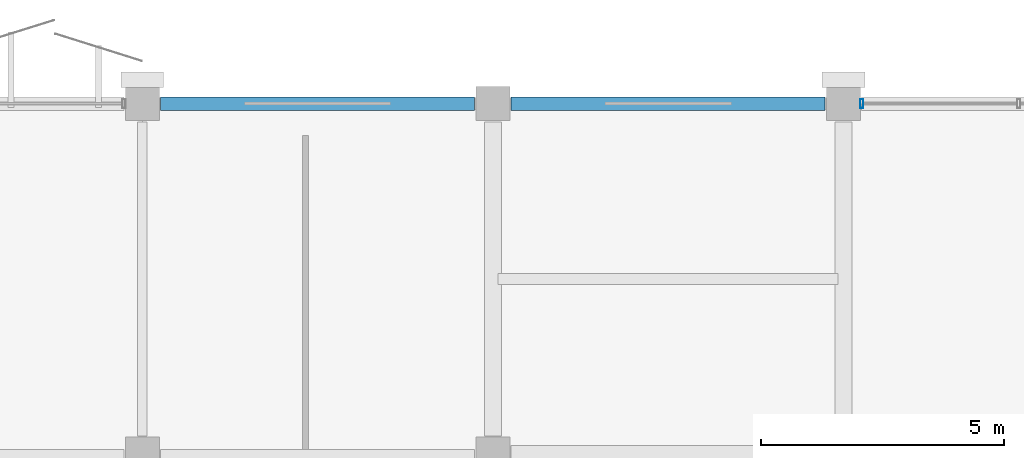
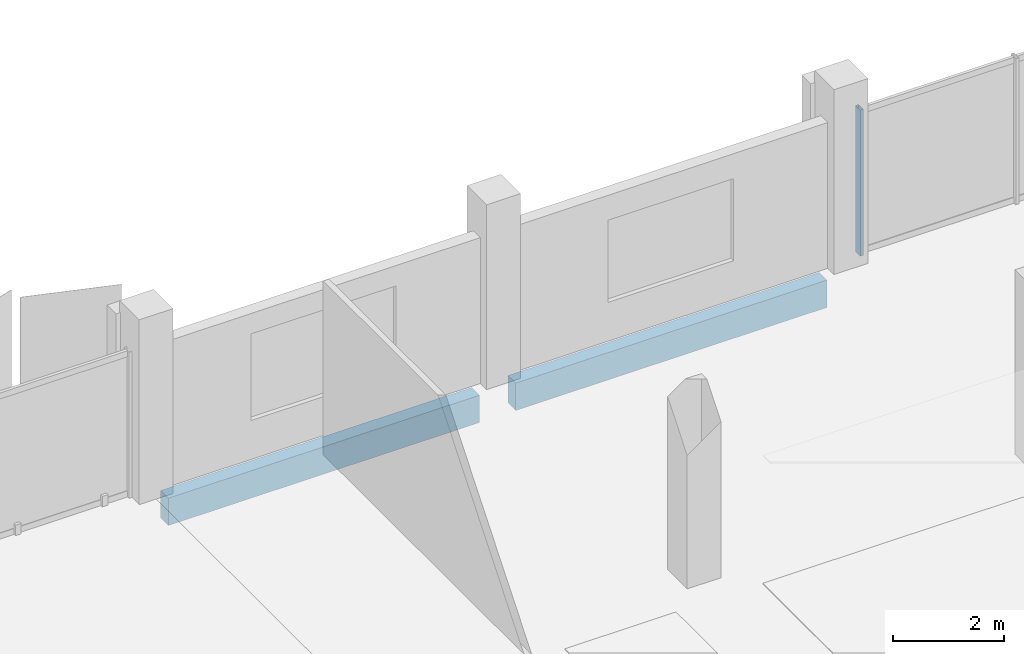
# One storey, part 61 of 108: 2 beams, 1 member, 1 element without a shape of its own.
"""IFC4 building model written with IfcOpenShell, lengths in metres."""

from ifc_helpers import new_model, si_unit, direction, frame, origin, origin_2d, place, context, subcontext, project, spatial, rectangle, hollow_rectangle, extrude, material, layer, layer_set, material_profile, profile_set, type_object, element, aggregate, save


model = new_model("IFC4")

# Units and contexts
model_context = context("Model", 3, precision=1e-05, world=origin(), true_north=direction((0.0, 1.0)))
body_context = subcontext(model_context, "Body", "Model", "MODEL_VIEW")
ifc_project = project(units=[si_unit("LENGTHUNIT", "METRE"), si_unit("AREAUNIT", "SQUARE_METRE"), si_unit("VOLUMEUNIT", "CUBIC_METRE"), si_unit("PLANEANGLEUNIT", "RADIAN"), si_unit("MASSUNIT", "GRAM", prefix="KILO")], contexts=[model_context])

# Site, building, storey
site_placement = place(None, origin())
site = spatial("IfcSite", under=ifc_project, at=site_placement, CompositionType="ELEMENT")
building_placement = place(site_placement, origin())
building = spatial("IfcBuilding", under=site, at=building_placement, Name="Kangsadwip Square Police Headquarters", CompositionType="ELEMENT")
storey_placement = place(building_placement, frame((0.0, 0.0, 9.449951171875)))
storey = spatial("IfcBuildingStorey", under=building, at=storey_placement, Name="L02", CompositionType="ELEMENT", Elevation=9.449951171875)

# Curtain wall, member
ifc_material_1 = material(Name="Thermally broken anodised aluminium AW-6063-T6", Category="aluminium")
ifc_layer = layer(ifc_material_1, 0.159912109375)
ifc_layer_set = layer_set([ifc_layer], Name="Thermally broken anodised aluminium AW-6063-T6")
curtain_wall_type = type_object("IfcCurtainWallType", Name="UnitisedCw6510x3200", PredefinedType="NOTDEFINED", material=ifc_layer_set)
curtain_wall_placement = place(storey_placement, origin())
curtain_wall = element("IfcCurtainWall", 1, at=curtain_wall_placement, inside=storey, type_object=curtain_wall_type, Name="Curtain Wall CW-L02-1587-1152", PredefinedType="NOTDEFINED")
ifc_material_2 = material(Name="Thermally broken anodised aluminium AW-6063-T6", Category="aluminium")
ifc_material_profile_1 = material_profile(ifc_material_2, hollow_rectangle(XDim=0.06494140625, YDim=0.179931640625, WallThickness=0.00390625, at=origin_2d()), Name="CWM 180X65X4")
ifc_profile_set_1 = profile_set([ifc_material_profile_1], Name="Thermally broken anodised aluminium AW-6063-T6")
member_type = type_object("IfcMemberType", Name="CwMullion160x65", PredefinedType="MULLION", material=ifc_profile_set_1)
member_placement = place(storey_placement, frame((158.777587890625, 115.199951171875, 0.0), z_axis=(0.0, 0.0, 1.0), x_axis=(1.0, 0.0, 0.0)))
member = element("IfcMember", 2, at=member_placement, type_object=member_type, Name="CW-24 mullion 1", PredefinedType="MULLION", context=body_context, shape_type="SweptSolid", body=[
    extrude(hollow_rectangle(XDim=0.06494140625, YDim=0.179931640625, WallThickness=0.00390625, at=origin_2d()), origin(), (0.0, 0.0, 1.0), 3.199951171875),
])
aggregate(curtain_wall, [member])

# Beams
ifc_material_3 = material(Name="Concrete M40 (40 MPa)", Category="concrete")
ifc_material_profile_2 = material_profile(ifc_material_3, rectangle(XDim=0.280029296875, YDim=0.60009765625, at=origin_2d()), Name="RC SPN 600X280")
ifc_profile_set_2 = profile_set([ifc_material_profile_2], Name="Concrete M40 (40 MPa)")
beam_type = type_object("IfcBeamType", Name="RcSpandrel600x280", PredefinedType="SPANDREL", material=ifc_profile_set_2)
for number, where, z_axis, x_axis, name in (
    (3, (144.375, 115.199951171875, -0.5400390625), (1.0, 0.0, 0.0), (0.0, 1.0, 0.0), "Beam BM-L02-X-20-16"),
    (4, (151.574951171875, 115.199951171875, -0.5400390625), (1.0, 0.0, 0.0), (0.0, 1.0, 0.0), "Beam BM-L02-X-21-16"),
):
    element("IfcBeam", number, at=place(storey_placement, frame(where, z_axis=z_axis, x_axis=x_axis)), inside=storey, type_object=beam_type, Name=name, PredefinedType="SPANDREL", context=body_context, shape_type="SweptSolid", body=[
        extrude(rectangle(XDim=0.280029296875, YDim=0.60009765625, at=origin_2d()), origin(), (0.0, 0.0, 1.0), 6.449951171875),
    ])

save(model, "model.ifc")
